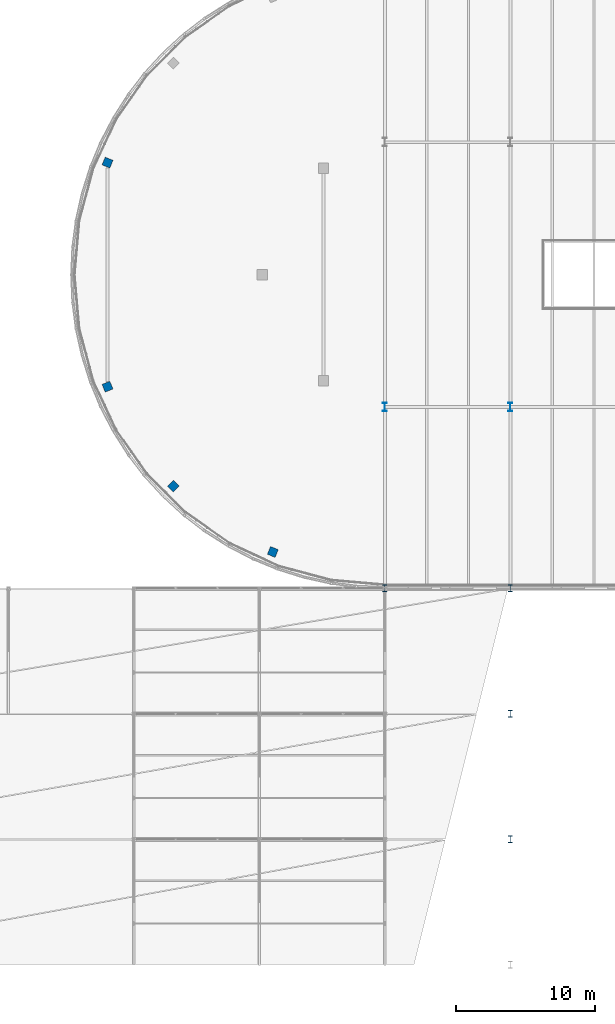
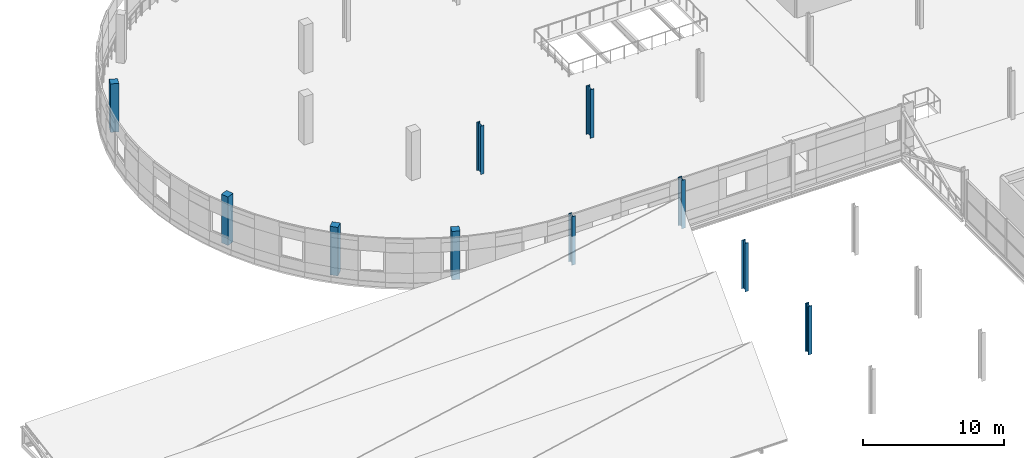
# One storey, part 4 of 103: 10 columns.
"""IFC4 building model written with IfcOpenShell, lengths in metres."""

from ifc_helpers import new_model, si_unit, direction, frame, origin, origin_2d, place, context, subcontext, project, spatial, rectangle, i_section, extrude, material, material_profile, profile_set, type_object, element, save


model = new_model("IFC4")

# Units and contexts
model_context = context("Model", 3, precision=1e-05, world=origin(), true_north=direction((0.0, 1.0)))
body_context = subcontext(model_context, "Body", "Model", "MODEL_VIEW")
ifc_project = project(units=[si_unit("LENGTHUNIT", "METRE"), si_unit("AREAUNIT", "SQUARE_METRE"), si_unit("VOLUMEUNIT", "CUBIC_METRE"), si_unit("PLANEANGLEUNIT", "RADIAN"), si_unit("MASSUNIT", "GRAM", prefix="KILO")], contexts=[model_context])

# Site, building, storey
site_placement = place(None, origin())
site = spatial("IfcSite", under=ifc_project, at=site_placement, CompositionType="ELEMENT")
building_placement = place(site_placement, origin())
building = spatial("IfcBuilding", under=site, at=building_placement, Name="Deido Ridge Mobility Hub", CompositionType="ELEMENT")
storey_placement = place(building_placement, frame((0.0, 0.0, 12.60009765625)))
storey = spatial("IfcBuildingStorey", under=building, at=storey_placement, Name="L03", CompositionType="ELEMENT", Elevation=12.60009765625)

# Columns
ifc_material_1 = material(Name="Steel S355J2 EN 10025-2", Category="steel")
ifc_material_profile_1 = material_profile(ifc_material_1, i_section(OverallWidth=0.300048828125, OverallDepth=0.5, WebThickness=0.014404296875, FlangeThickness=0.028076171875, FilletRadius=0.027099609375, at=origin_2d()), Name="HEB 500")
ifc_profile_set_1 = profile_set([ifc_material_profile_1], Name="Steel S355J2 EN 10025-2")
column_type_1 = type_object("IfcColumnType", Name="COL-HEB500", PredefinedType="COLUMN", material=ifc_profile_set_1)
for number, where, z_axis, x_axis, name in (
    (1, (45.0, 81.0, 0.0), (0.0, 0.0, 1.0), (1.0, 0.0, 0.0), "Structural column C5"),
    (2, (54.0, 81.0, 0.0), (0.0, 0.0, 1.0), (1.0, 0.0, 0.0), "Structural column C5"),
    (3, (54.0, 63.0, 0.0), (0.0, 0.0, 1.0), (1.0, 0.0, 0.0), "Structural column C5"),
    (4, (54.0, 72.0, 0.0), (0.0, 0.0, 1.0), (1.0, 0.0, 0.0), "Structural column C5"),
):
    element("IfcColumn", number, at=place(storey_placement, frame(where, z_axis=z_axis, x_axis=x_axis)), inside=storey, type_object=column_type_1, Name=name, PredefinedType="COLUMN", context=body_context, shape_type="SweptSolid", body=[
        extrude(i_section(OverallWidth=0.300048828125, OverallDepth=0.5, WebThickness=0.014404296875, FlangeThickness=0.028076171875, FilletRadius=0.027099609375, at=origin_2d()), origin(), (0.0, 0.0, 1.0), 4.199951171875),
    ])
ifc_material_profile_2 = material_profile(ifc_material_1, i_section(OverallWidth=0.300048828125, OverallDepth=0.60009765625, WebThickness=0.015380859375, FlangeThickness=0.030029296875, FilletRadius=0.027099609375, at=origin_2d()), Name="HEB 600")
ifc_profile_set_2 = profile_set([ifc_material_profile_2], Name="Steel S355J2 EN 10025-2")
column_type_2 = type_object("IfcColumnType", Name="COL-HEB600", PredefinedType="COLUMN", material=ifc_profile_set_2)
for number, where, z_axis, x_axis, name in (
    (5, (45.0, 94.0, 0.0), (0.0, 0.0, 1.0), (1.0, 0.0, 0.0), "Structural column C4"),
    (6, (54.0, 94.0, 0.0), (0.0, 0.0, 1.0), (1.0, 0.0, 0.0), "Structural column C4"),
):
    element("IfcColumn", number, at=place(storey_placement, frame(where, z_axis=z_axis, x_axis=x_axis)), inside=storey, type_object=column_type_2, Name=name, PredefinedType="COLUMN", context=body_context, shape_type="SweptSolid", body=[
        extrude(i_section(OverallWidth=0.300048828125, OverallDepth=0.60009765625, WebThickness=0.015380859375, FlangeThickness=0.030029296875, FilletRadius=0.027099609375, at=origin_2d()), origin(), (0.0, 0.0, 1.0), 4.199951171875),
    ])
ifc_material_2 = material(Name="Concrete C40/50", Category="concrete")
ifc_material_profile_3 = material_profile(ifc_material_2, rectangle(XDim=0.60009765625, YDim=0.60009765625, at=origin_2d()), Name="RC COL 600x600")
ifc_profile_set_3 = profile_set([ifc_material_profile_3], Name="Concrete C40/50")
column_type_3 = type_object("IfcColumnType", Name="COL-RC600", PredefinedType="COLUMN", material=ifc_profile_set_3)
for number, where, z_axis, x_axis, name in (
    (7, (25.11181640625, 111.535400390625, 0.0), (0.0, 0.0, 1.0), (-0.927183854567, 0.374606593416, 0.0), "Structural column RC2"),
    (8, (25.11181640625, 95.464599609375, 0.0), (0.0, 0.0, 1.0), (-0.927183854567, -0.374606593416, 0.0), "Structural column RC2"),
    (9, (29.83251953125, 88.33251953125, 0.0), (0.0, 0.0, 1.0), (-0.707106781187, -0.707106781187, 0.0), "Structural column RC2"),
    (10, (36.964599609375, 83.61181640625, 0.0), (0.0, 0.0, 1.0), (-0.374606593416, -0.927183854567, 0.0), "Structural column RC2"),
):
    element("IfcColumn", number, at=place(storey_placement, frame(where, z_axis=z_axis, x_axis=x_axis)), inside=storey, type_object=column_type_3, Name=name, PredefinedType="COLUMN", context=body_context, shape_type="SweptSolid", body=[
        extrude(rectangle(XDim=0.60009765625, YDim=0.60009765625, at=origin_2d()), origin(), (0.0, 0.0, 1.0), 4.199951171875),
    ])

save(model, "model.ifc")
